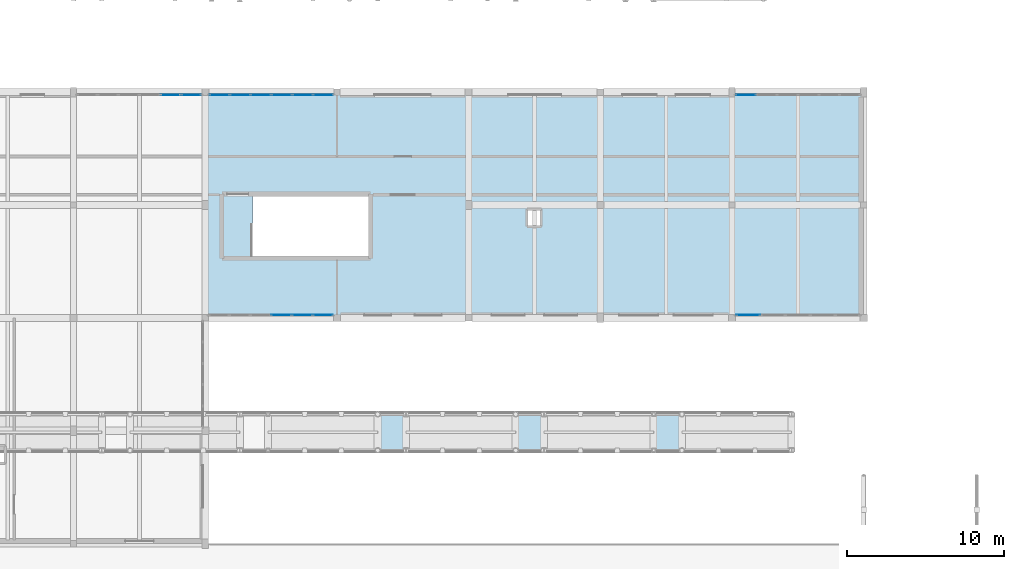
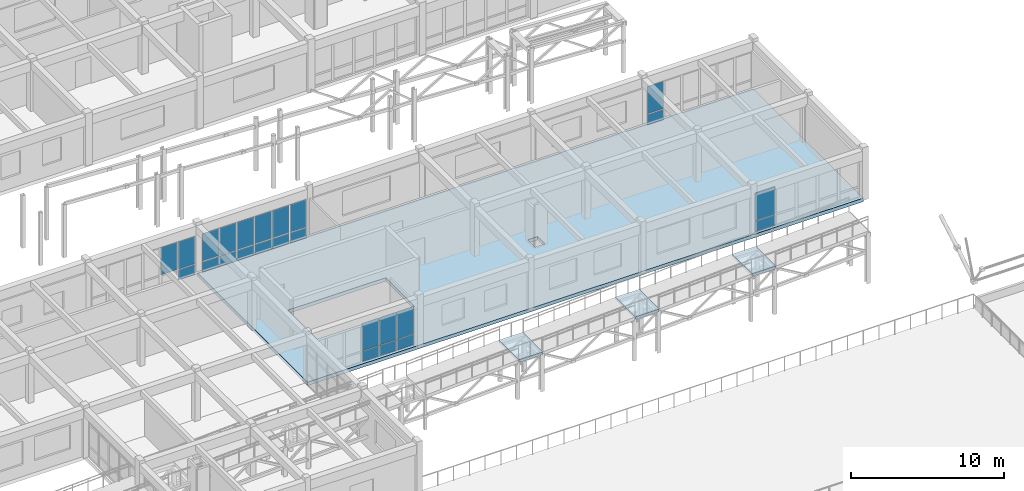
# One storey, part 59 of 90: 25 plates, 4 slabs, 6 elements without a shape of their own.
"""IFC4 building model written with IfcOpenShell, lengths in metres."""

from ifc_helpers import new_model, si_unit, direction, frame, origin, origin_2d, place, context, subcontext, project, spatial, polyline, rectangle, outline, extrude, material, layer, layer_set, type_object, element, aggregate, save


model = new_model("IFC4")

# Units and contexts
model_context = context("Model", 3, precision=1e-05, world=origin(), true_north=direction((0.0, 1.0)))
body_context = subcontext(model_context, "Body", "Model", "MODEL_VIEW")
ifc_project = project(units=[si_unit("LENGTHUNIT", "METRE"), si_unit("AREAUNIT", "SQUARE_METRE"), si_unit("VOLUMEUNIT", "CUBIC_METRE"), si_unit("PLANEANGLEUNIT", "RADIAN"), si_unit("MASSUNIT", "GRAM", prefix="KILO")], contexts=[model_context])

# Site, building, storey
site_placement = place(None, origin())
site = spatial("IfcSite", under=ifc_project, at=site_placement, CompositionType="ELEMENT")
building_placement = place(site_placement, origin())
building = spatial("IfcBuilding", under=site, at=building_placement, Name="Malvenik Polytechnic", CompositionType="ELEMENT")
storey_placement = place(building_placement, frame((0.0, 0.0, 9.300048828125)))
storey = spatial("IfcBuildingStorey", under=building, at=storey_placement, Name="L02", CompositionType="ELEMENT", Elevation=9.300048828125)

# Curtain wall, plates
ifc_material_1 = material(Name="Anodised aluminium 6060-T6", Category="aluminium")
curtain_wall_type = type_object("IfcCurtainWallType", Name="ARC-CW-CW-03", PredefinedType="NOTDEFINED", material=ifc_material_1)
curtain_wall_1_placement = place(storey_placement, origin())
curtain_wall_1 = element("IfcCurtainWall", 1, at=curtain_wall_1_placement, inside=storey, type_object=curtain_wall_type, Name="Unitised Curtain Wall CW-03 L02 #141", PredefinedType="NOTDEFINED")
ifc_material_2 = material(Name="Triple solar-control glazing 8-14-6-14-8", Category="glass")
ifc_layer_1 = layer(ifc_material_2, 0.035888671875)
ifc_layer_set_1 = layer_set([ifc_layer_1], Name="Triple solar-control glazing 8-14-6-14-8")
plate_type_1 = type_object("IfcPlateType", Name="ARC-CWP-CP-GLZ36", PredefinedType="CURTAIN_PANEL", material=ifc_layer_set_1)
plate_1_placement = place(storey_placement, frame((90.18212890625, 64.6298828125, 0.929931640625), z_axis=(0.0, 0.0, 1.0), x_axis=(1.0, 0.0, 0.0)))
plate_1 = element("IfcPlate", 2, at=plate_1_placement, type_object=plate_type_1, Name="CW-03 panel 5.2", PredefinedType="CURTAIN_PANEL", context=body_context, shape_type="SweptSolid", body=[
    extrude(rectangle(XDim=1.269775390625, YDim=0.028076171875, at=origin_2d()), origin(), (0.0, 0.0, 1.0), 2.18994140625),
])
plate_2_placement = place(storey_placement, frame((91.4970703125, 64.6298828125, 0.929931640625), z_axis=(0.0, 0.0, 1.0), x_axis=(1.0, 0.0, 0.0)))
plate_2 = element("IfcPlate", 3, at=plate_2_placement, type_object=plate_type_1, Name="CW-03 panel 6.2", PredefinedType="CURTAIN_PANEL", context=body_context, shape_type="SweptSolid", body=[
    extrude(rectangle(XDim=1.23974609375, YDim=0.028076171875, at=origin_2d()), origin(), (0.0, 0.0, 1.0), 2.18994140625),
])

curtain_wall_2_placement = place(storey_placement, origin())
curtain_wall_2 = element("IfcCurtainWall", 4, at=curtain_wall_2_placement, inside=storey, type_object=curtain_wall_type, Name="Unitised Curtain Wall CW-03 L02 #142", PredefinedType="NOTDEFINED")
plate_3_placement = place(storey_placement, frame((93.302978515625, 64.6298828125, 0.929931640625), z_axis=(0.0, 0.0, 1.0), x_axis=(1.0, 0.0, 0.0)))
plate_3 = element("IfcPlate", 5, at=plate_3_placement, type_object=plate_type_1, Name="CW-03 panel 1.2", PredefinedType="CURTAIN_PANEL", context=body_context, shape_type="SweptSolid", body=[
    extrude(rectangle(XDim=1.23974609375, YDim=0.028076171875, at=origin_2d()), origin(), (0.0, 0.0, 1.0), 2.18994140625),
])
plate_4_placement = place(storey_placement, frame((94.61767578125, 64.6298828125, 0.929931640625), z_axis=(0.0, 0.0, 1.0), x_axis=(1.0, 0.0, 0.0)))
plate_4 = element("IfcPlate", 6, at=plate_4_placement, type_object=plate_type_1, Name="CW-03 panel 2.2", PredefinedType="CURTAIN_PANEL", context=body_context, shape_type="SweptSolid", body=[
    extrude(rectangle(XDim=1.269775390625, YDim=0.028076171875, at=origin_2d()), origin(), (0.0, 0.0, 1.0), 2.18994140625),
])
plate_5_placement = place(storey_placement, frame((95.947509765625, 64.6298828125, 0.929931640625), z_axis=(0.0, 0.0, 1.0), x_axis=(1.0, 0.0, 0.0)))
plate_5 = element("IfcPlate", 7, at=plate_5_placement, type_object=plate_type_1, Name="CW-03 panel 3.2", PredefinedType="CURTAIN_PANEL", context=body_context, shape_type="SweptSolid", body=[
    extrude(rectangle(XDim=1.269775390625, YDim=0.028076171875, at=origin_2d()), origin(), (0.0, 0.0, 1.0), 2.18994140625),
])
plate_6_placement = place(storey_placement, frame((97.27734375, 64.6298828125, 0.929931640625), z_axis=(0.0, 0.0, 1.0), x_axis=(1.0, 0.0, 0.0)))
plate_6 = element("IfcPlate", 8, at=plate_6_placement, type_object=plate_type_1, Name="CW-03 panel 4.2", PredefinedType="CURTAIN_PANEL", context=body_context, shape_type="SweptSolid", body=[
    extrude(rectangle(XDim=1.269775390625, YDim=0.028076171875, at=origin_2d()), origin(), (0.0, 0.0, 1.0), 2.18994140625),
])
plate_7_placement = place(storey_placement, frame((98.607177734375, 64.6298828125, 0.929931640625), z_axis=(0.0, 0.0, 1.0), x_axis=(1.0, 0.0, 0.0)))
plate_7 = element("IfcPlate", 9, at=plate_7_placement, type_object=plate_type_1, Name="CW-03 panel 5.2", PredefinedType="CURTAIN_PANEL", context=body_context, shape_type="SweptSolid", body=[
    extrude(rectangle(XDim=1.269775390625, YDim=0.028076171875, at=origin_2d()), origin(), (0.0, 0.0, 1.0), 2.18994140625),
])
plate_8_placement = place(storey_placement, frame((99.922119140625, 64.6298828125, 0.929931640625), z_axis=(0.0, 0.0, 1.0), x_axis=(1.0, 0.0, 0.0)))
plate_8 = element("IfcPlate", 10, at=plate_8_placement, type_object=plate_type_1, Name="CW-03 panel 6.2", PredefinedType="CURTAIN_PANEL", context=body_context, shape_type="SweptSolid", body=[
    extrude(rectangle(XDim=1.23974609375, YDim=0.028076171875, at=origin_2d()), origin(), (0.0, 0.0, 1.0), 2.18994140625),
])

# Curtain wall, plate
curtain_wall_3_placement = place(storey_placement, origin())
curtain_wall_3 = element("IfcCurtainWall", 11, at=curtain_wall_3_placement, inside=storey, type_object=curtain_wall_type, Name="Unitised Curtain Wall CW-03 L02 #143", PredefinedType="NOTDEFINED")
plate_9_placement = place(storey_placement, frame((126.8798828125, 64.6298828125, 0.929931640625), z_axis=(0.0, 0.0, 1.0), x_axis=(1.0, 0.0, 0.0)))
plate_9 = element("IfcPlate", 12, at=plate_9_placement, type_object=plate_type_1, Name="CW-03 panel 1.2", PredefinedType="CURTAIN_PANEL", context=body_context, shape_type="SweptSolid", body=[
    extrude(rectangle(XDim=1.243896484375, YDim=0.028076171875, at=origin_2d()), origin(), (0.0, 0.0, 1.0), 2.18994140625),
])

curtain_wall_4_placement = place(storey_placement, origin())
curtain_wall_4 = element("IfcCurtainWall", 13, at=curtain_wall_4_placement, inside=storey, type_object=curtain_wall_type, Name="Unitised Curtain Wall CW-03 L02 #144", PredefinedType="NOTDEFINED")
plate_10_placement = place(storey_placement, frame((127.033447265625, 50.570068359375, 0.929931640625), z_axis=(0.0, 0.0, 1.0), x_axis=(-1.0, 0.0, 0.0)))
plate_10 = element("IfcPlate", 14, at=plate_10_placement, type_object=plate_type_1, Name="CW-03 panel 5.2", PredefinedType="CURTAIN_PANEL", context=body_context, shape_type="SweptSolid", body=[
    extrude(rectangle(XDim=1.500732421875, YDim=0.028076171875, at=origin_2d()), origin(), (0.0, 0.0, 1.0), 2.18994140625),
])

# Curtain wall, plates
curtain_wall_5_placement = place(storey_placement, origin())
curtain_wall_5 = element("IfcCurtainWall", 15, at=curtain_wall_5_placement, inside=storey, type_object=curtain_wall_type, Name="Unitised Curtain Wall CW-03 L02 #145", PredefinedType="NOTDEFINED")
plate_11_placement = place(storey_placement, frame((99.89697265625, 50.570068359375, 0.929931640625), z_axis=(0.0, 0.0, 1.0), x_axis=(-1.0, 0.0, 0.0)))
plate_11 = element("IfcPlate", 16, at=plate_11_placement, type_object=plate_type_1, Name="CW-03 panel 1.2", PredefinedType="CURTAIN_PANEL", context=body_context, shape_type="SweptSolid", body=[
    extrude(rectangle(XDim=1.23974609375, YDim=0.028076171875, at=origin_2d()), origin(), (0.0, 0.0, 1.0), 2.18994140625),
])
plate_12_placement = place(storey_placement, frame((98.582275390625, 50.570068359375, 0.929931640625), z_axis=(0.0, 0.0, 1.0), x_axis=(-1.0, 0.0, 0.0)))
plate_12 = element("IfcPlate", 17, at=plate_12_placement, type_object=plate_type_1, Name="CW-03 panel 2.2", PredefinedType="CURTAIN_PANEL", context=body_context, shape_type="SweptSolid", body=[
    extrude(rectangle(XDim=1.269775390625, YDim=0.028076171875, at=origin_2d()), origin(), (0.0, 0.0, 1.0), 2.18994140625),
])
plate_13_placement = place(storey_placement, frame((97.25244140625, 50.570068359375, 0.929931640625), z_axis=(0.0, 0.0, 1.0), x_axis=(-1.0, 0.0, 0.0)))
plate_13 = element("IfcPlate", 18, at=plate_13_placement, type_object=plate_type_1, Name="CW-03 panel 3.2", PredefinedType="CURTAIN_PANEL", context=body_context, shape_type="SweptSolid", body=[
    extrude(rectangle(XDim=1.269775390625, YDim=0.028076171875, at=origin_2d()), origin(), (0.0, 0.0, 1.0), 2.18994140625),
])

# Plate
ifc_material_3 = material(Name="Insulated aluminium spandrel cassette 42mm", Category="aluminium")
ifc_layer_2 = layer(ifc_material_3, 0.0419921875)
ifc_layer_set_2 = layer_set([ifc_layer_2], Name="Insulated aluminium spandrel cassette 42mm")
plate_type_2 = type_object("IfcPlateType", Name="ARC-CWP-CP-SPN42", PredefinedType="CURTAIN_PANEL", material=ifc_layer_set_2)
plate_14_placement = place(storey_placement, frame((91.4970703125, 64.6298828125, 0.059814453125), z_axis=(0.0, 0.0, 1.0), x_axis=(1.0, 0.0, 0.0)))
plate_14 = element("IfcPlate", 19, at=plate_14_placement, type_object=plate_type_2, Name="CW-03 panel 6.1", PredefinedType="CURTAIN_PANEL", context=body_context, shape_type="SweptSolid", body=[
    extrude(rectangle(XDim=1.23974609375, YDim=0.028076171875, at=origin_2d()), origin(), (0.0, 0.0, 1.0), 0.81005859375),
])

aggregate(curtain_wall_1, [plate_1, plate_14, plate_2])

plate_15_placement = place(storey_placement, frame((93.302978515625, 64.6298828125, 0.059814453125), z_axis=(0.0, 0.0, 1.0), x_axis=(1.0, 0.0, 0.0)))
plate_15 = element("IfcPlate", 20, at=plate_15_placement, type_object=plate_type_2, Name="CW-03 panel 1.1", PredefinedType="CURTAIN_PANEL", context=body_context, shape_type="SweptSolid", body=[
    extrude(rectangle(XDim=1.23974609375, YDim=0.028076171875, at=origin_2d()), origin(), (0.0, 0.0, 1.0), 0.81005859375),
])

plate_16_placement = place(storey_placement, frame((94.61767578125, 64.6298828125, 0.059814453125), z_axis=(0.0, 0.0, 1.0), x_axis=(1.0, 0.0, 0.0)))
plate_16 = element("IfcPlate", 21, at=plate_16_placement, type_object=plate_type_2, Name="CW-03 panel 2.1", PredefinedType="CURTAIN_PANEL", context=body_context, shape_type="SweptSolid", body=[
    extrude(rectangle(XDim=1.269775390625, YDim=0.028076171875, at=origin_2d()), origin(), (0.0, 0.0, 1.0), 0.81005859375),
])

plate_17_placement = place(storey_placement, frame((95.947509765625, 64.6298828125, 0.059814453125), z_axis=(0.0, 0.0, 1.0), x_axis=(1.0, 0.0, 0.0)))
plate_17 = element("IfcPlate", 22, at=plate_17_placement, type_object=plate_type_2, Name="CW-03 panel 3.1", PredefinedType="CURTAIN_PANEL", context=body_context, shape_type="SweptSolid", body=[
    extrude(rectangle(XDim=1.269775390625, YDim=0.028076171875, at=origin_2d()), origin(), (0.0, 0.0, 1.0), 0.81005859375),
])

plate_18_placement = place(storey_placement, frame((97.27734375, 64.6298828125, 0.059814453125), z_axis=(0.0, 0.0, 1.0), x_axis=(1.0, 0.0, 0.0)))
plate_18 = element("IfcPlate", 23, at=plate_18_placement, type_object=plate_type_2, Name="CW-03 panel 4.1", PredefinedType="CURTAIN_PANEL", context=body_context, shape_type="SweptSolid", body=[
    extrude(rectangle(XDim=1.269775390625, YDim=0.028076171875, at=origin_2d()), origin(), (0.0, 0.0, 1.0), 0.81005859375),
])

plate_19_placement = place(storey_placement, frame((98.607177734375, 64.6298828125, 0.059814453125), z_axis=(0.0, 0.0, 1.0), x_axis=(1.0, 0.0, 0.0)))
plate_19 = element("IfcPlate", 24, at=plate_19_placement, type_object=plate_type_2, Name="CW-03 panel 5.1", PredefinedType="CURTAIN_PANEL", context=body_context, shape_type="SweptSolid", body=[
    extrude(rectangle(XDim=1.269775390625, YDim=0.028076171875, at=origin_2d()), origin(), (0.0, 0.0, 1.0), 0.81005859375),
])

plate_20_placement = place(storey_placement, frame((99.922119140625, 64.6298828125, 0.059814453125), z_axis=(0.0, 0.0, 1.0), x_axis=(1.0, 0.0, 0.0)))
plate_20 = element("IfcPlate", 25, at=plate_20_placement, type_object=plate_type_2, Name="CW-03 panel 6.1", PredefinedType="CURTAIN_PANEL", context=body_context, shape_type="SweptSolid", body=[
    extrude(rectangle(XDim=1.23974609375, YDim=0.028076171875, at=origin_2d()), origin(), (0.0, 0.0, 1.0), 0.81005859375),
])

aggregate(curtain_wall_2, [plate_15, plate_3, plate_16, plate_4, plate_17, plate_5, plate_18, plate_6, plate_19, plate_7, plate_20, plate_8])

plate_21_placement = place(storey_placement, frame((126.8798828125, 64.6298828125, 0.059814453125), z_axis=(0.0, 0.0, 1.0), x_axis=(1.0, 0.0, 0.0)))
plate_21 = element("IfcPlate", 26, at=plate_21_placement, type_object=plate_type_2, Name="CW-03 panel 1.1", PredefinedType="CURTAIN_PANEL", context=body_context, shape_type="SweptSolid", body=[
    extrude(rectangle(XDim=1.243896484375, YDim=0.028076171875, at=origin_2d()), origin(), (0.0, 0.0, 1.0), 0.81005859375),
])

aggregate(curtain_wall_3, [plate_21, plate_9])

plate_22_placement = place(storey_placement, frame((127.033447265625, 50.570068359375, 0.059814453125), z_axis=(0.0, 0.0, 1.0), x_axis=(-1.0, 0.0, 0.0)))
plate_22 = element("IfcPlate", 27, at=plate_22_placement, type_object=plate_type_2, Name="CW-03 panel 5.1", PredefinedType="CURTAIN_PANEL", context=body_context, shape_type="SweptSolid", body=[
    extrude(rectangle(XDim=1.500732421875, YDim=0.028076171875, at=origin_2d()), origin(), (0.0, 0.0, 1.0), 0.81005859375),
])

aggregate(curtain_wall_4, [plate_22, plate_10])

plate_23_placement = place(storey_placement, frame((99.89697265625, 50.570068359375, 0.059814453125), z_axis=(0.0, 0.0, 1.0), x_axis=(-1.0, 0.0, 0.0)))
plate_23 = element("IfcPlate", 28, at=plate_23_placement, type_object=plate_type_2, Name="CW-03 panel 1.1", PredefinedType="CURTAIN_PANEL", context=body_context, shape_type="SweptSolid", body=[
    extrude(rectangle(XDim=1.23974609375, YDim=0.028076171875, at=origin_2d()), origin(), (0.0, 0.0, 1.0), 0.81005859375),
])

plate_24_placement = place(storey_placement, frame((98.582275390625, 50.570068359375, 0.059814453125), z_axis=(0.0, 0.0, 1.0), x_axis=(-1.0, 0.0, 0.0)))
plate_24 = element("IfcPlate", 29, at=plate_24_placement, type_object=plate_type_2, Name="CW-03 panel 2.1", PredefinedType="CURTAIN_PANEL", context=body_context, shape_type="SweptSolid", body=[
    extrude(rectangle(XDim=1.269775390625, YDim=0.028076171875, at=origin_2d()), origin(), (0.0, 0.0, 1.0), 0.81005859375),
])

plate_25_placement = place(storey_placement, frame((97.25244140625, 50.570068359375, 0.059814453125), z_axis=(0.0, 0.0, 1.0), x_axis=(-1.0, 0.0, 0.0)))
plate_25 = element("IfcPlate", 30, at=plate_25_placement, type_object=plate_type_2, Name="CW-03 panel 3.1", PredefinedType="CURTAIN_PANEL", context=body_context, shape_type="SweptSolid", body=[
    extrude(rectangle(XDim=1.269775390625, YDim=0.028076171875, at=origin_2d()), origin(), (0.0, 0.0, 1.0), 0.81005859375),
])

aggregate(curtain_wall_5, [plate_23, plate_11, plate_24, plate_12, plate_25, plate_13])

# Ramp, slabs
ifc_material_4 = material(Name="Concrete C35/45", Category="concrete")
ramp_type = type_object("IfcRampType", Name="ARC-RMP-PED", PredefinedType="STRAIGHT_RUN_RAMP", material=ifc_material_4)
ramp_placement = place(storey_placement, origin())
ramp = element("IfcRamp", 31, at=ramp_placement, inside=storey, type_object=ramp_type, Name="Accessible Pedestrian Ramp RB-01", PredefinedType="STRAIGHT_RUN_RAMP")
ifc_layer_3 = layer(ifc_material_4, 0.219970703125)
ifc_layer_set_3 = layer_set([ifc_layer_3], Name="Concrete C35/45")
slab_type_1 = type_object("IfcSlabType", Name="ARC-SLB-RLND", PredefinedType="LANDING", material=ifc_layer_set_3)
slab_1_placement = place(storey_placement, frame((0.0, 0.0, 2.929931640625)))
slab_1 = element("IfcSlab", 32, at=slab_1_placement, type_object=slab_type_1, Name="Ramp Intermediate Landing RB-01 #9", PredefinedType="LANDING", context=body_context, shape_type="SweptSolid", body=[
    extrude(outline(polyline([(103.39990234375, 41.800048828125), (105.199951171875, 41.800048828125), (105.199951171875, 44.39990234375), (103.39990234375, 44.39990234375), (103.39990234375, 41.800048828125)])), origin(), (0.0, 0.0, 1.0), 0.219970703125),
])
slab_2_placement = place(storey_placement, frame((0.0, 0.0, 3.280029296875)))
slab_2 = element("IfcSlab", 33, at=slab_2_placement, type_object=slab_type_1, Name="Ramp Intermediate Landing RB-01 #10", PredefinedType="LANDING", context=body_context, shape_type="SweptSolid", body=[
    extrude(outline(polyline([(112.199951171875, 41.800048828125), (114.0, 41.800048828125), (114.0, 44.39990234375), (112.199951171875, 44.39990234375), (112.199951171875, 41.800048828125)])), origin(), (0.0, 0.0, 1.0), 0.219970703125),
])
slab_3_placement = place(storey_placement, frame((0.0, 0.0, 3.6298828125)))
slab_3 = element("IfcSlab", 34, at=slab_3_placement, type_object=slab_type_1, Name="Ramp Intermediate Landing RB-01 #11", PredefinedType="LANDING", context=body_context, shape_type="SweptSolid", body=[
    extrude(outline(polyline([(121.0, 41.800048828125), (122.800048828125, 41.800048828125), (122.800048828125, 44.39990234375), (121.0, 44.39990234375), (121.0, 41.800048828125)])), origin(), (0.0, 0.0, 1.0), 0.219970703125),
])
aggregate(ramp, [slab_1, slab_2, slab_3])

# Slab
ifc_layer_4 = layer(ifc_material_4, 0.280029296875)
ifc_layer_set_4 = layer_set([ifc_layer_4], Name="Concrete C35/45")
slab_type_2 = type_object("IfcSlabType", Name="STR-SLB-FLR-280", PredefinedType="FLOOR", material=ifc_layer_set_4)
slab_4_placement = place(storey_placement, frame((0.0, 0.0, -0.280029296875)))
element("IfcSlab", 35, at=slab_4_placement, inside=storey, type_object=slab_type_2, Name="Structural Slab L02-V3 #75", PredefinedType="FLOOR", context=body_context, shape_type="SweptSolid", body=[
    extrude(outline(polyline([(134.3798828125, 64.800048828125), (134.3798828125, 50.39990234375), (92.419921875, 50.39990234375), (92.419921875, 64.800048828125), (134.3798828125, 64.800048828125)]), holes=[polyline([(102.800048828125, 54.35009765625), (102.800048828125, 58.14990234375), (95.41796875, 58.14990234375), (95.41796875, 54.35009765625), (102.800048828125, 54.35009765625)]), polyline([(113.0, 57.25), (113.0, 56.300048828125), (113.75, 56.300048828125), (113.75, 57.25), (113.0, 57.25)])]), origin(), (0.0, 0.0, 1.0), 0.280029296875),
])

save(model, "model.ifc")
